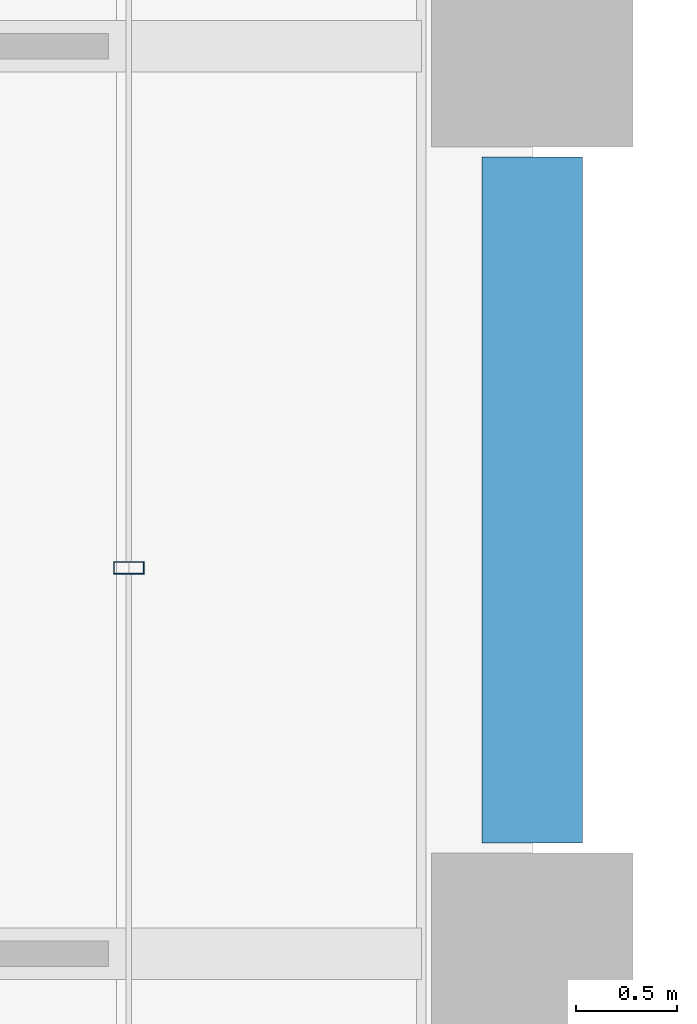
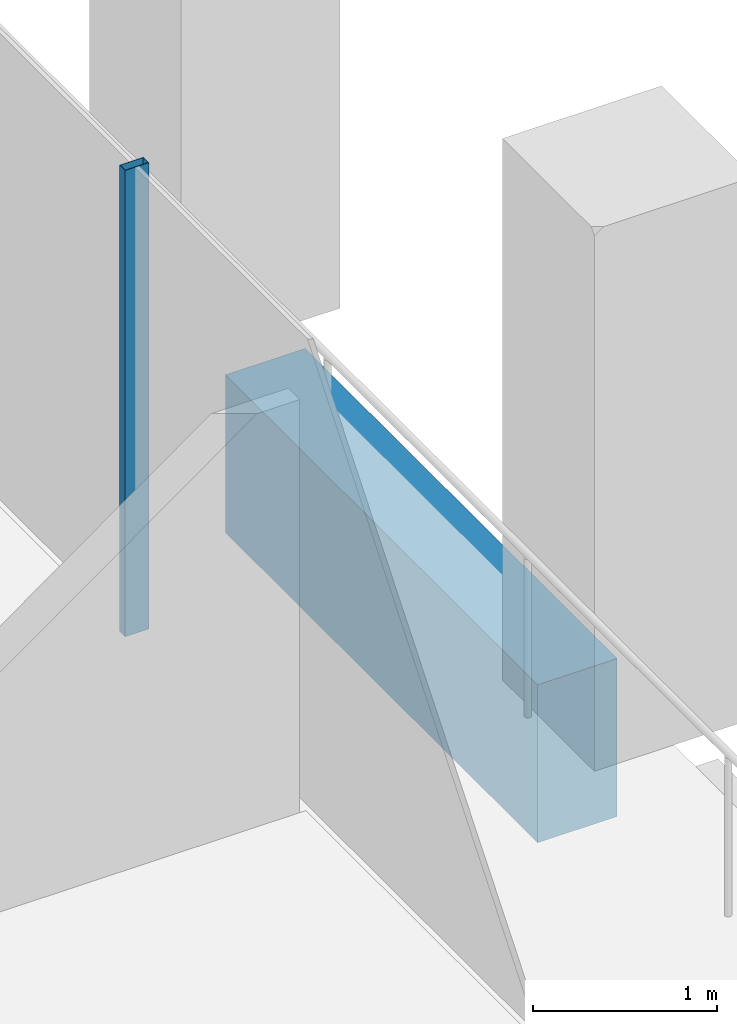
# One storey, part 17 of 52: 1 beam, 1 member, 1 element without a shape of its own.
"""IFC4 building model written with IfcOpenShell, lengths in metres."""

from ifc_helpers import new_model, si_unit, direction, frame, origin, origin_2d, place, context, subcontext, project, spatial, rectangle, hollow_rectangle, extrude, material, material_profile, profile_set, type_object, element, aggregate, save


model = new_model("IFC4")

# Units and contexts
model_context = context("Model", 3, precision=1e-05, world=origin(), true_north=direction((0.0, 1.0)))
body_context = subcontext(model_context, "Body", "Model", "MODEL_VIEW")
ifc_project = project(units=[si_unit("LENGTHUNIT", "METRE"), si_unit("AREAUNIT", "SQUARE_METRE"), si_unit("VOLUMEUNIT", "CUBIC_METRE"), si_unit("PLANEANGLEUNIT", "RADIAN"), si_unit("MASSUNIT", "GRAM", prefix="KILO")], contexts=[model_context])

# Site, building, storey
site_placement = place(None, origin())
site = spatial("IfcSite", under=ifc_project, at=site_placement, CompositionType="ELEMENT")
building_placement = place(site_placement, origin())
building = spatial("IfcBuilding", under=site, at=building_placement, Name="Altepetl Exchange Towers", CompositionType="ELEMENT")
storey_placement = place(building_placement, frame((0.0, 0.0, 92.0)))
storey = spatial("IfcBuildingStorey", under=building, at=storey_placement, Name="L22", CompositionType="ELEMENT", Elevation=92.0)

# Curtain wall, member
ifc_material_1 = material(Name="Aluminium 6063-T6 glazing", Category="aluminium")
curtain_wall_type = type_object("IfcCurtainWallType", Name="Loggia glazing system", PredefinedType="NOTDEFINED", material=ifc_material_1)
curtain_wall_placement = place(storey_placement, origin())
curtain_wall = element("IfcCurtainWall", 1, at=curtain_wall_placement, inside=storey, type_object=curtain_wall_type, Name="CW1 run", PredefinedType="NOTDEFINED")
ifc_material_2 = material(Name="Aluminium 6063-T6", Category="aluminium")
ifc_material_profile_1 = material_profile(ifc_material_2, hollow_rectangle(XDim=0.06005859375, YDim=0.14990234375, WallThickness=0.0029296875, at=origin_2d()), Name="Mullion 60x150 aluminium")
ifc_profile_set_1 = profile_set([ifc_material_profile_1], Name="Aluminium 6063-T6")
member_type = type_object("IfcMemberType", Name="Mullion 60x150 aluminium", PredefinedType="MULLION", material=ifc_profile_set_1)
member_placement = place(storey_placement, frame((70.0, 46.9130859375, 0.0), z_axis=(0.0, 0.0, 1.0), x_axis=(0.0, 1.0, 0.0)))
member = element("IfcMember", 2, at=member_placement, type_object=member_type, Name="MU1 mullion", PredefinedType="MULLION", context=body_context, shape_type="SweptSolid", body=[
    extrude(hollow_rectangle(XDim=0.06005859375, YDim=0.14990234375, WallThickness=0.0029296875, at=origin_2d()), origin(), (0.0, 0.0, 1.0), 3.10009765625),
])
aggregate(curtain_wall, [member])

# Beam
ifc_material_3 = material(Name="Concrete C50/60 precast with cantera amarilla facing", Category="concrete")
ifc_material_profile_2 = material_profile(ifc_material_3, rectangle(XDim=0.5, YDim=1.050048828125, at=origin_2d()), Name="500 x 1050")
ifc_profile_set_2 = profile_set([ifc_material_profile_2], Name="Concrete C50/60 precast with cantera amarilla facing")
beam_type = type_object("IfcBeamType", Name="Spandrel beam 500x1050 cantera amarilla", PredefinedType="SPANDREL", material=ifc_profile_set_2)
beam_placement = place(storey_placement, frame((72.0, 45.550048828125, -0.675048828125), z_axis=(0.0, 1.0, 0.0), x_axis=(-1.0, 0.0, 0.0)))
element("IfcBeam", 3, at=beam_placement, inside=storey, type_object=beam_type, Name="sp:A:L22:015", PredefinedType="SPANDREL", context=body_context, shape_type="SweptSolid", body=[
    extrude(rectangle(XDim=0.5, YDim=1.050048828125, at=origin_2d()), origin(), (0.0, 0.0, 1.0), 3.39990234375),
])

save(model, "model.ifc")
